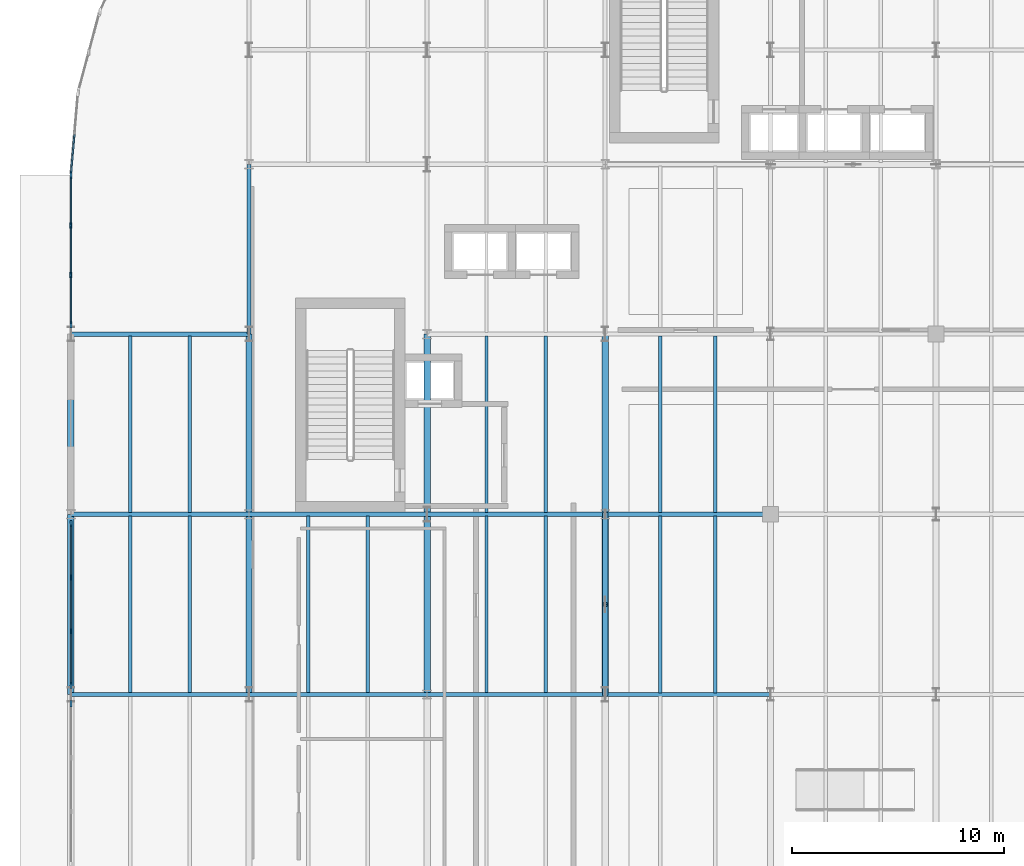
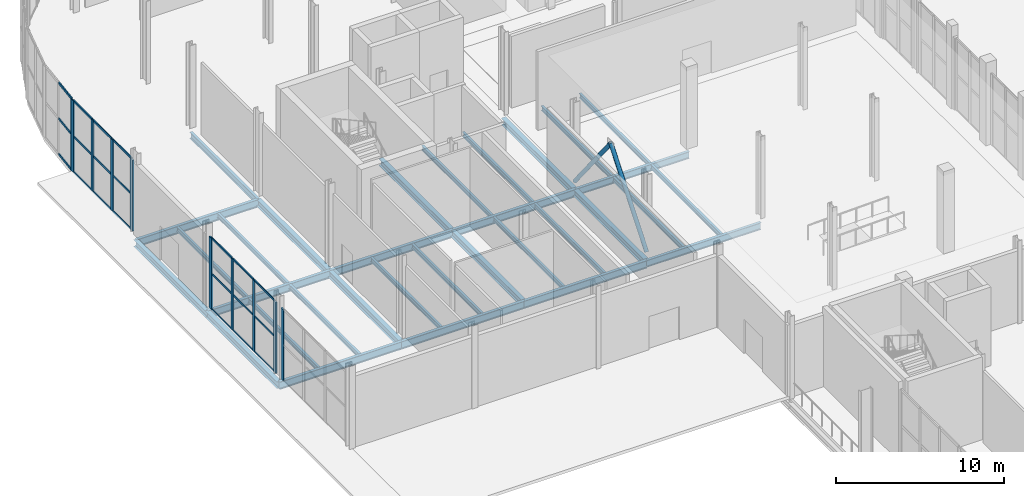
# One storey, part 29 of 84: 33 members, 32 beams, 4 elements without a shape of their own.
"""IFC4 building model written with IfcOpenShell, lengths in metres."""

from ifc_helpers import new_model, si_unit, direction, frame, origin, origin_2d, place, context, subcontext, project, spatial, rectangle, hollow_circle, i_section, extrude, material, layer, layer_set, material_profile, profile_set, type_object, element, aggregate, save


model = new_model("IFC4")

# Units and contexts
model_context = context("Model", 3, precision=1e-05, world=origin(), true_north=direction((0.0, 1.0)))
body_context = subcontext(model_context, "Body", "Model", "MODEL_VIEW")
ifc_project = project(units=[si_unit("LENGTHUNIT", "METRE"), si_unit("AREAUNIT", "SQUARE_METRE"), si_unit("VOLUMEUNIT", "CUBIC_METRE"), si_unit("PLANEANGLEUNIT", "RADIAN"), si_unit("MASSUNIT", "GRAM", prefix="KILO")], contexts=[model_context])

# Site, building, storey
site_placement = place(None, origin())
site = spatial("IfcSite", under=ifc_project, at=site_placement, CompositionType="ELEMENT")
building_placement = place(site_placement, origin())
building = spatial("IfcBuilding", under=site, at=building_placement, Name="Sefraquen Railside Congress Hotel", CompositionType="ELEMENT")
storey_placement = place(building_placement, origin())
storey = spatial("IfcBuildingStorey", under=building, at=storey_placement, Name="L00", CompositionType="ELEMENT", Elevation=0.0)

# Beams
ifc_material_1 = material(Name="Steel S355JR", Category="steel")
ifc_material_profile_1 = material_profile(ifc_material_1, i_section(OverallWidth=0.18994140625, OverallDepth=0.449951171875, WebThickness=0.009521484375, FlangeThickness=0.0146484375, FilletRadius=0.02099609375, at=origin_2d()), Name="IPE 450")
ifc_profile_set_1 = profile_set([ifc_material_profile_1], Name="Steel S355JR")
beam_type_1 = type_object("IfcBeamType", Name="TB-BM-450", PredefinedType="BEAM", material=ifc_profile_set_1)
beam_1_placement = place(storey_placement, frame((8.39990234375, 88.0, -0.625), z_axis=(0.0, 1.0, 0.0), x_axis=(-1.0, 0.0, 0.0)))
element("IfcBeam", 1, at=beam_1_placement, inside=storey, type_object=beam_type_1, Name="Floor beam BM-L00-0179", PredefinedType="BEAM", context=body_context, shape_type="SweptSolid", body=[
    extrude(i_section(OverallWidth=0.18994140625, OverallDepth=0.449951171875, WebThickness=0.009521484375, FlangeThickness=0.0146484375, FilletRadius=0.02099609375, at=origin_2d()), origin(), (0.0, 0.0, 1.0), 8.0),
])
ifc_material_profile_2 = material_profile(ifc_material_1, i_section(OverallWidth=0.199951171875, OverallDepth=0.5, WebThickness=0.01025390625, FlangeThickness=0.01611328125, FilletRadius=0.02099609375, at=origin_2d()), Name="IPE 500")
ifc_profile_set_2 = profile_set([ifc_material_profile_2], Name="Steel S355JR")
beam_type_2 = type_object("IfcBeamType", Name="TB-BM-500", PredefinedType="BEAM", material=ifc_profile_set_2)
for number, where, z_axis, x_axis, name in (
    (2, (25.199951171875, 71.0, -0.64990234375), (1.0, 0.0, 0.0), (0.0, 1.0, 0.0), "Primary girder BM-L00-0085"),
    (3, (25.199951171875, 79.5, -0.64990234375), (1.0, 0.0, 0.0), (0.0, 1.0, 0.0), "Primary girder BM-L00-0093"),
):
    element("IfcBeam", number, at=place(storey_placement, frame(where, z_axis=z_axis, x_axis=x_axis)), inside=storey, type_object=beam_type_2, Name=name, PredefinedType="BEAM", context=body_context, shape_type="SweptSolid", body=[
        extrude(i_section(OverallWidth=0.199951171875, OverallDepth=0.5, WebThickness=0.01025390625, FlangeThickness=0.01611328125, FilletRadius=0.02099609375, at=origin_2d()), origin(), (0.0, 0.0, 1.0), 7.800048828125),
    ])
ifc_material_profile_3 = material_profile(ifc_material_1, i_section(OverallWidth=0.300048828125, OverallDepth=0.489990234375, WebThickness=0.011962890625, FlangeThickness=0.02294921875, FilletRadius=0.027099609375, at=origin_2d()), Name="HEA 500")
ifc_profile_set_3 = profile_set([ifc_material_profile_3], Name="Steel S355JR")
beam_type_3 = type_object("IfcBeamType", Name="TB-GIR-500", PredefinedType="T_BEAM", material=ifc_profile_set_3)
for number, where, z_axis, x_axis, name in (
    (4, (0.0, 71.0, -0.64501953125), (0.0, 1.0, 0.0), (-1.0, 0.0, 0.0), "Floor beam BM-L00-0174"),
    (5, (0.0, 79.5, -0.64501953125), (0.0, 1.0, 0.0), (-1.0, 0.0, 0.0), "Floor beam BM-L00-0175"),
    (6, (8.39990234375, 71.0, -0.64501953125), (0.0, 1.0, 0.0), (-1.0, 0.0, 0.0), "Floor beam BM-L00-0177"),
    (7, (8.39990234375, 79.5, -0.64501953125), (0.0, 1.0, 0.0), (-1.0, 0.0, 0.0), "Floor beam BM-L00-0178"),
    (8, (16.800048828125, 71.0, -0.64501953125), (0.0, 1.0, 0.0), (-1.0, 0.0, 0.0), "Floor beam BM-L00-0183"),
    (9, (16.800048828125, 79.5, -0.64501953125), (0.0, 1.0, 0.0), (-1.0, 0.0, 0.0), "Floor beam BM-L00-0184"),
    (10, (25.199951171875, 71.0, -0.64501953125), (0.0, 1.0, 0.0), (-1.0, 0.0, 0.0), "Floor beam BM-L00-0195"),
    (11, (25.199951171875, 79.5, -0.64501953125), (0.0, 1.0, 0.0), (-1.0, 0.0, 0.0), "Floor beam BM-L00-0196"),
):
    element("IfcBeam", number, at=place(storey_placement, frame(where, z_axis=z_axis, x_axis=x_axis)), inside=storey, type_object=beam_type_3, Name=name, PredefinedType="T_BEAM", context=body_context, shape_type="SweptSolid", body=[
        extrude(i_section(OverallWidth=0.300048828125, OverallDepth=0.489990234375, WebThickness=0.011962890625, FlangeThickness=0.02294921875, FilletRadius=0.027099609375, at=origin_2d()), origin(), (0.0, 0.0, 1.0), 8.5),
    ])
ifc_material_profile_4 = material_profile(ifc_material_1, i_section(OverallWidth=0.2099609375, OverallDepth=0.550048828125, WebThickness=0.010986328125, FlangeThickness=0.01708984375, FilletRadius=0.02392578125, at=origin_2d()), Name="IPE 550")
ifc_profile_set_4 = profile_set([ifc_material_profile_4], Name="Steel S355JR")
beam_type_4 = type_object("IfcBeamType", Name="TB-GIR-550", PredefinedType="T_BEAM", material=ifc_profile_set_4)
beam_2_placement = place(storey_placement, frame((0.0, 71.0, -0.675048828125), z_axis=(1.0, 0.0, 0.0), x_axis=(0.0, 1.0, 0.0)))
element("IfcBeam", 12, at=beam_2_placement, inside=storey, type_object=beam_type_4, Name="Primary girder BM-L00-0082", PredefinedType="T_BEAM", context=body_context, shape_type="SweptSolid", body=[
    extrude(i_section(OverallWidth=0.2099609375, OverallDepth=0.550048828125, WebThickness=0.010986328125, FlangeThickness=0.01708984375, FilletRadius=0.02392578125, at=origin_2d()), origin(), (0.0, 0.0, 1.0), 8.39990234375),
])
beam_3_placement = place(storey_placement, frame((8.39990234375, 71.0, -0.675048828125), z_axis=(1.0, 0.0, 0.0), x_axis=(0.0, 1.0, 0.0)))
element("IfcBeam", 13, at=beam_3_placement, inside=storey, type_object=beam_type_4, Name="Primary girder BM-L00-0083", PredefinedType="T_BEAM", context=body_context, shape_type="SweptSolid", body=[
    extrude(i_section(OverallWidth=0.2099609375, OverallDepth=0.550048828125, WebThickness=0.010986328125, FlangeThickness=0.01708984375, FilletRadius=0.02392578125, at=origin_2d()), origin(), (0.0, 0.0, 1.0), 8.400146484375),
])
for number, where, z_axis, x_axis, name in (
    (14, (16.800048828125, 71.0, -0.675048828125), (1.0, 0.0, 0.0), (0.0, 1.0, 0.0), "Primary girder BM-L00-0084"),
    (15, (0.0, 79.5, -0.675048828125), (1.0, 0.0, 0.0), (0.0, 1.0, 0.0), "Primary girder BM-L00-0090"),
):
    element("IfcBeam", number, at=place(storey_placement, frame(where, z_axis=z_axis, x_axis=x_axis)), inside=storey, type_object=beam_type_4, Name=name, PredefinedType="T_BEAM", context=body_context, shape_type="SweptSolid", body=[
        extrude(i_section(OverallWidth=0.2099609375, OverallDepth=0.550048828125, WebThickness=0.010986328125, FlangeThickness=0.01708984375, FilletRadius=0.02392578125, at=origin_2d()), origin(), (0.0, 0.0, 1.0), 8.39990234375),
    ])
beam_4_placement = place(storey_placement, frame((8.39990234375, 79.5, -0.675048828125), z_axis=(1.0, 0.0, 0.0), x_axis=(0.0, 1.0, 0.0)))
element("IfcBeam", 16, at=beam_4_placement, inside=storey, type_object=beam_type_4, Name="Primary girder BM-L00-0091", PredefinedType="T_BEAM", context=body_context, shape_type="SweptSolid", body=[
    extrude(i_section(OverallWidth=0.2099609375, OverallDepth=0.550048828125, WebThickness=0.010986328125, FlangeThickness=0.01708984375, FilletRadius=0.02392578125, at=origin_2d()), origin(), (0.0, 0.0, 1.0), 8.400146484375),
])
for number, where, z_axis, x_axis, name in (
    (17, (16.800048828125, 79.5, -0.675048828125), (1.0, 0.0, 0.0), (0.0, 1.0, 0.0), "Primary girder BM-L00-0092"),
    (18, (0.0, 88.0, -0.675048828125), (1.0, 0.0, 0.0), (0.0, 1.0, 0.0), "Primary girder BM-L00-0099"),
):
    element("IfcBeam", number, at=place(storey_placement, frame(where, z_axis=z_axis, x_axis=x_axis)), inside=storey, type_object=beam_type_4, Name=name, PredefinedType="T_BEAM", context=body_context, shape_type="SweptSolid", body=[
        extrude(i_section(OverallWidth=0.2099609375, OverallDepth=0.550048828125, WebThickness=0.010986328125, FlangeThickness=0.01708984375, FilletRadius=0.02392578125, at=origin_2d()), origin(), (0.0, 0.0, 1.0), 8.39990234375),
    ])
ifc_material_profile_5 = material_profile(ifc_material_1, i_section(OverallWidth=0.159912109375, OverallDepth=0.330078125, WebThickness=0.007568359375, FlangeThickness=0.011474609375, FilletRadius=0.01806640625, at=origin_2d()), Name="IPE 330")
ifc_profile_set_5 = profile_set([ifc_material_profile_5], Name="Steel S355JR")
beam_type_5 = type_object("IfcBeamType", Name="TB-JST-330", PredefinedType="JOIST", material=ifc_profile_set_5)
for number, where, z_axis, x_axis, name in (
    (19, (2.800048828125, 71.0849609375, -0.56494140625), (0.0, 1.0, 0.0), (-1.0, 0.0, 0.0), "Composite floor joist BM-L00-J0003"),
    (20, (5.60009765625, 71.0849609375, -0.56494140625), (0.0, 1.0, 0.0), (-1.0, 0.0, 0.0), "Composite floor joist BM-L00-J0004"),
    (21, (2.800048828125, 79.5849609375, -0.56494140625), (0.0, 1.0, 0.0), (-1.0, 0.0, 0.0), "Composite floor joist BM-L00-J0005"),
    (22, (5.60009765625, 79.5849609375, -0.56494140625), (0.0, 1.0, 0.0), (-1.0, 0.0, 0.0), "Composite floor joist BM-L00-J0006"),
    (23, (11.199951171875, 71.0849609375, -0.56494140625), (0.0, 1.0, 0.0), (-1.0, 0.0, 0.0), "Composite floor joist BM-L00-J0009"),
    (24, (14.0, 71.0849609375, -0.56494140625), (0.0, 1.0, 0.0), (-1.0, 0.0, 0.0), "Composite floor joist BM-L00-J0010"),
    (25, (19.60009765625, 71.0849609375, -0.56494140625), (0.0, 1.0, 0.0), (-1.0, 0.0, 0.0), "Composite floor joist BM-L00-J0017"),
    (26, (22.39990234375, 71.0849609375, -0.56494140625), (0.0, 1.0, 0.0), (-1.0, 0.0, 0.0), "Composite floor joist BM-L00-J0018"),
    (27, (19.60009765625, 79.5849609375, -0.56494140625), (0.0, 1.0, 0.0), (-1.0, 0.0, 0.0), "Composite floor joist BM-L00-J0019"),
    (28, (22.39990234375, 79.5849609375, -0.56494140625), (0.0, 1.0, 0.0), (-1.0, 0.0, 0.0), "Composite floor joist BM-L00-J0020"),
):
    element("IfcBeam", number, at=place(storey_placement, frame(where, z_axis=z_axis, x_axis=x_axis)), inside=storey, type_object=beam_type_5, Name=name, PredefinedType="JOIST", context=body_context, shape_type="SweptSolid", body=[
        extrude(i_section(OverallWidth=0.159912109375, OverallDepth=0.330078125, WebThickness=0.007568359375, FlangeThickness=0.011474609375, FilletRadius=0.01806640625, at=origin_2d()), origin(), (0.0, 0.0, 1.0), 8.330078125),
    ])
for number, where, z_axis, x_axis, name in (
    (29, (27.800048828125, 71.080078125, -0.56494140625), (0.0, 1.0, 0.0), (-1.0, 0.0, 0.0), "Composite floor joist BM-L00-J0036"),
    (30, (30.39990234375, 71.080078125, -0.56494140625), (0.0, 1.0, 0.0), (-1.0, 0.0, 0.0), "Composite floor joist BM-L00-J0037"),
    (31, (27.800048828125, 79.580078125, -0.56494140625), (0.0, 1.0, 0.0), (-1.0, 0.0, 0.0), "Composite floor joist BM-L00-J0038"),
    (32, (30.39990234375, 79.580078125, -0.56494140625), (0.0, 1.0, 0.0), (-1.0, 0.0, 0.0), "Composite floor joist BM-L00-J0039"),
):
    element("IfcBeam", number, at=place(storey_placement, frame(where, z_axis=z_axis, x_axis=x_axis)), inside=storey, type_object=beam_type_5, Name=name, PredefinedType="JOIST", context=body_context, shape_type="SweptSolid", body=[
        extrude(i_section(OverallWidth=0.159912109375, OverallDepth=0.330078125, WebThickness=0.007568359375, FlangeThickness=0.011474609375, FilletRadius=0.01806640625, at=origin_2d()), origin(), (0.0, 0.0, 1.0), 8.33984375),
    ])

# Members
ifc_material_2 = material(Name="Steel S355J2", Category="steel")
ifc_material_profile_6 = material_profile(ifc_material_2, hollow_circle(Radius=0.136474609375, WallThickness=0.012451171875, at=origin_2d()), Name="CHS 273x12.5")
ifc_profile_set_6 = profile_set([ifc_material_profile_6], Name="Steel S355J2")
member_type_1 = type_object("IfcMemberType", Name="TM-BR-273", PredefinedType="BRACE", material=ifc_profile_set_6)
for number, where, z_axis, x_axis, name in (
    (33, (25.199951171875, 71.0, 0.14990234375), (0.0, 0.625588676806, 0.780153066681), (-1.0, 0.0, 0.0), "Chevron braced-frame diagonal BF2-L L00"),
    (34, (25.199951171875, 79.5, 0.14990234375), (0.0, -0.625588676806, 0.780153066681), (1.0, 0.0, 0.0), "Chevron braced-frame diagonal BF2-R L00"),
):
    element("IfcMember", number, at=place(storey_placement, frame(where, z_axis=z_axis, x_axis=x_axis)), inside=storey, type_object=member_type_1, Name=name, PredefinedType="BRACE", context=body_context, shape_type="SweptSolid", body=[
        extrude(hollow_circle(Radius=0.136474609375, WallThickness=0.012451171875, at=origin_2d()), origin(), (0.0, 0.0, 1.0), 6.793701171875),
    ])

# Curtain wall, members
ifc_material_3 = material(Name="Thermally broken anodised aluminium and low-E double glazing", Category="aluminium")
ifc_layer_1 = layer(ifc_material_3, 0.199951171875)
ifc_layer_set_1 = layer_set([ifc_layer_1], Name="Thermally broken anodised aluminium and low-E double glazing")
curtain_wall_type_1 = type_object("IfcCurtainWallType", Name="TCW-UCW-26", PredefinedType="USERDEFINED", material=ifc_layer_set_1)
curtain_wall_1_placement = place(storey_placement, origin())
curtain_wall_1 = element("IfcCurtainWall", 35, at=curtain_wall_1_placement, inside=storey, type_object=curtain_wall_type_1, Name="Hotel West Forecourt curtain wall UCW-26", ObjectType="UNITISED CURTAIN WALL", PredefinedType="USERDEFINED")
ifc_material_4 = material(Name="Thermally broken anodised aluminium 6063-T6", Category="aluminium")
ifc_material_profile_7 = material_profile(ifc_material_4, rectangle(XDim=0.080078125, YDim=0.239990234375, at=origin_2d()), Name="CWM 80x240")
ifc_profile_set_7 = profile_set([ifc_material_profile_7], Name="Thermally broken anodised aluminium 6063-T6")
member_type_2 = type_object("IfcMemberType", Name="TM-CWM-05", PredefinedType="MULLION", material=ifc_profile_set_7)
member_1_placement = place(storey_placement, frame((0.0, 73.97998046875, 0.0), z_axis=(0.0, 0.0, 1.0), x_axis=(1.0, 0.0, 0.0)))
member_1 = element("IfcMember", 36, at=member_1_placement, type_object=member_type_2, Name="CW-L00-026 mullion 2", PredefinedType="MULLION", context=body_context, shape_type="SweptSolid", body=[
    extrude(rectangle(XDim=0.080078125, YDim=0.239990234375, at=origin_2d()), origin(), (0.0, 0.0, 1.0), 5.14990234375),
])
member_2_placement = place(storey_placement, frame((0.0, 76.52001953125, 0.0), z_axis=(0.0, 0.0, 1.0), x_axis=(1.0, 0.0, 0.0)))
member_2 = element("IfcMember", 37, at=member_2_placement, type_object=member_type_2, Name="CW-L00-026 mullion 3", PredefinedType="MULLION", context=body_context, shape_type="SweptSolid", body=[
    extrude(rectangle(XDim=0.080078125, YDim=0.239990234375, at=origin_2d()), origin(), (0.0, 0.0, 1.0), 5.14990234375),
])

ifc_layer_2 = layer(ifc_material_3, 0.199951171875)
ifc_layer_set_2 = layer_set([ifc_layer_2], Name="Thermally broken anodised aluminium and low-E double glazing")
curtain_wall_type_2 = type_object("IfcCurtainWallType", Name="TCW-UCW-27", PredefinedType="USERDEFINED", material=ifc_layer_set_2)
curtain_wall_2_placement = place(storey_placement, origin())
curtain_wall_2 = element("IfcCurtainWall", 38, at=curtain_wall_2_placement, inside=storey, type_object=curtain_wall_type_2, Name="Hotel West Forecourt curtain wall UCW-27", ObjectType="UNITISED CURTAIN WALL", PredefinedType="USERDEFINED")
ifc_material_profile_8 = material_profile(ifc_material_4, rectangle(XDim=0.0849609375, YDim=0.260009765625, at=origin_2d()), Name="CWM 85x260")
ifc_profile_set_8 = profile_set([ifc_material_profile_8], Name="Thermally broken anodised aluminium 6063-T6")
member_type_3 = type_object("IfcMemberType", Name="TM-CWM-06", PredefinedType="MULLION", material=ifc_profile_set_8)
member_3_placement = place(storey_placement, frame((0.0, 90.780029296875, 0.0), z_axis=(0.0, 0.0, 1.0), x_axis=(1.0, 0.0, 0.0)))
member_3 = element("IfcMember", 39, at=member_3_placement, type_object=member_type_3, Name="CW-L00-027 mullion 2", PredefinedType="MULLION", context=body_context, shape_type="SweptSolid", body=[
    extrude(rectangle(XDim=0.0849609375, YDim=0.260009765625, at=origin_2d()), origin(), (0.0, 0.0, 1.0), 5.14990234375),
])
member_4_placement = place(storey_placement, frame((0.0, 93.1201171875, 0.0), z_axis=(0.0, 0.0, 1.0), x_axis=(1.0, 0.0, 0.0)))
member_4 = element("IfcMember", 40, at=member_4_placement, type_object=member_type_3, Name="CW-L00-027 mullion 3", PredefinedType="MULLION", context=body_context, shape_type="SweptSolid", body=[
    extrude(rectangle(XDim=0.0849609375, YDim=0.260009765625, at=origin_2d()), origin(), (0.0, 0.0, 1.0), 5.14990234375),
])

# Curtain wall, member
ifc_layer_3 = layer(ifc_material_3, 0.199951171875)
ifc_layer_set_3 = layer_set([ifc_layer_3], Name="Thermally broken anodised aluminium and low-E double glazing")
curtain_wall_type_3 = type_object("IfcCurtainWallType", Name="TCW-UCW-25", PredefinedType="USERDEFINED", material=ifc_layer_set_3)
curtain_wall_3_placement = place(storey_placement, origin())
curtain_wall_3 = element("IfcCurtainWall", 41, at=curtain_wall_3_placement, inside=storey, type_object=curtain_wall_type_3, Name="Hotel West Forecourt curtain wall UCW-25", ObjectType="UNITISED CURTAIN WALL", PredefinedType="USERDEFINED")
ifc_material_profile_9 = material_profile(ifc_material_4, rectangle(XDim=0.094970703125, YDim=0.300048828125, at=origin_2d()), Name="CWM 95x300")
ifc_profile_set_9 = profile_set([ifc_material_profile_9], Name="Thermally broken anodised aluminium 6063-T6")
member_type_4 = type_object("IfcMemberType", Name="TM-CWM-08", PredefinedType="MULLION", material=ifc_profile_set_9)
member_5_placement = place(storey_placement, frame((0.0, 70.56005859375, 0.0), z_axis=(0.0, 0.0, 1.0), x_axis=(1.0, 0.0, 0.0)))
member_5 = element("IfcMember", 42, at=member_5_placement, type_object=member_type_4, Name="CW-L00-025 mullion 4", PredefinedType="MULLION", context=body_context, shape_type="SweptSolid", body=[
    extrude(rectangle(XDim=0.094970703125, YDim=0.300048828125, at=origin_2d()), origin(), (0.0, 0.0, 1.0), 5.14990234375),
])
aggregate(curtain_wall_3, [member_5])

# Member
member_6_placement = place(storey_placement, frame((0.0, 71.43994140625, 0.0), z_axis=(0.0, 0.0, 1.0), x_axis=(1.0, 0.0, 0.0)))
member_6 = element("IfcMember", 43, at=member_6_placement, type_object=member_type_4, Name="CW-L00-026 mullion 1", PredefinedType="MULLION", context=body_context, shape_type="SweptSolid", body=[
    extrude(rectangle(XDim=0.094970703125, YDim=0.300048828125, at=origin_2d()), origin(), (0.0, 0.0, 1.0), 5.14990234375),
])

member_7_placement = place(storey_placement, frame((0.0, 79.06005859375, 0.0), z_axis=(0.0, 0.0, 1.0), x_axis=(1.0, 0.0, 0.0)))
member_7 = element("IfcMember", 44, at=member_7_placement, type_object=member_type_4, Name="CW-L00-026 mullion 4", PredefinedType="MULLION", context=body_context, shape_type="SweptSolid", body=[
    extrude(rectangle(XDim=0.094970703125, YDim=0.300048828125, at=origin_2d()), origin(), (0.0, 0.0, 1.0), 5.14990234375),
])

member_8_placement = place(storey_placement, frame((0.0, 88.43994140625, 0.0), z_axis=(0.0, 0.0, 1.0), x_axis=(1.0, 0.0, 0.0)))
member_8 = element("IfcMember", 45, at=member_8_placement, type_object=member_type_4, Name="CW-L00-027 mullion 1", PredefinedType="MULLION", context=body_context, shape_type="SweptSolid", body=[
    extrude(rectangle(XDim=0.094970703125, YDim=0.300048828125, at=origin_2d()), origin(), (0.0, 0.0, 1.0), 5.14990234375),
])

member_9_placement = place(storey_placement, frame((0.0, 95.4599609375, 0.0), z_axis=(0.0, 0.0, 1.0), x_axis=(1.0, 0.0, 0.0)))
member_9 = element("IfcMember", 46, at=member_9_placement, type_object=member_type_4, Name="CW-L00-027 mullion 4", PredefinedType="MULLION", context=body_context, shape_type="SweptSolid", body=[
    extrude(rectangle(XDim=0.094970703125, YDim=0.300048828125, at=origin_2d()), origin(), (0.0, 0.0, 1.0), 5.14990234375),
])

# Curtain wall, member
ifc_layer_4 = layer(ifc_material_3, 0.199951171875)
ifc_layer_set_4 = layer_set([ifc_layer_4], Name="Thermally broken anodised aluminium and low-E double glazing")
curtain_wall_type_4 = type_object("IfcCurtainWallType", Name="TCW-UCW-04", PredefinedType="USERDEFINED", material=ifc_layer_set_4)
curtain_wall_4_placement = place(storey_placement, origin())
curtain_wall_4 = element("IfcCurtainWall", 47, at=curtain_wall_4_placement, inside=storey, type_object=curtain_wall_type_4, Name="Rotunda L00 curved curtain wall facet 9", ObjectType="UNITISED CURTAIN WALL", PredefinedType="USERDEFINED")
member_10_placement = place(storey_placement, frame((0.00341796875, 95.539794921875, 0.0), z_axis=(0.0, 0.0, 1.0), x_axis=(1.0, 0.0, 0.0)))
member_10 = element("IfcMember", 48, at=member_10_placement, type_object=member_type_4, Name="CW-L00-ROT-09 mullion 3", PredefinedType="MULLION", context=body_context, shape_type="SweptSolid", body=[
    extrude(rectangle(XDim=0.094970703125, YDim=0.300048828125, at=origin_2d()), origin(), (0.0, 0.0, 1.0), 5.14990234375),
])

# Member
ifc_material_profile_10 = material_profile(ifc_material_4, rectangle(XDim=0.06494140625, YDim=0.135009765625, at=origin_2d()), Name="CWT 65x135")
ifc_profile_set_10 = profile_set([ifc_material_profile_10], Name="Thermally broken anodised aluminium 6063-T6")
member_type_5 = type_object("IfcMemberType", Name="TM-CWT-02", PredefinedType="USERDEFINED", material=ifc_profile_set_10)
member_11_placement = place(storey_placement, frame((0.0, 71.485107421875, 0.0), z_axis=(0.0, 1.0, 0.0), x_axis=(-1.0, 0.0, 0.0)))
member_11 = element("IfcMember", 49, at=member_11_placement, type_object=member_type_5, Name="CW-L00-026 transom 1.1", ObjectType="TRANSOM", PredefinedType="USERDEFINED", context=body_context, shape_type="SweptSolid", body=[
    extrude(rectangle(XDim=0.06494140625, YDim=0.135009765625, at=origin_2d()), origin(), (0.0, 0.0, 1.0), 2.449951171875),
])

member_12_placement = place(storey_placement, frame((0.0, 74.02490234375, 0.0), z_axis=(0.0, 1.0, 0.0), x_axis=(-1.0, 0.0, 0.0)))
member_12 = element("IfcMember", 50, at=member_12_placement, type_object=member_type_5, Name="CW-L00-026 transom 1.2", ObjectType="TRANSOM", PredefinedType="USERDEFINED", context=body_context, shape_type="SweptSolid", body=[
    extrude(rectangle(XDim=0.06494140625, YDim=0.135009765625, at=origin_2d()), origin(), (0.0, 0.0, 1.0), 2.4501953125),
])

member_13_placement = place(storey_placement, frame((0.0, 76.56494140625, 0.0), z_axis=(0.0, 1.0, 0.0), x_axis=(-1.0, 0.0, 0.0)))
member_13 = element("IfcMember", 51, at=member_13_placement, type_object=member_type_5, Name="CW-L00-026 transom 1.3", ObjectType="TRANSOM", PredefinedType="USERDEFINED", context=body_context, shape_type="SweptSolid", body=[
    extrude(rectangle(XDim=0.06494140625, YDim=0.135009765625, at=origin_2d()), origin(), (0.0, 0.0, 1.0), 2.449951171875),
])

member_14_placement = place(storey_placement, frame((0.0, 71.485107421875, 2.574951171875), z_axis=(0.0, 1.0, 0.0), x_axis=(-1.0, 0.0, 0.0)))
member_14 = element("IfcMember", 52, at=member_14_placement, type_object=member_type_5, Name="CW-L00-026 transom 2.1", ObjectType="TRANSOM", PredefinedType="USERDEFINED", context=body_context, shape_type="SweptSolid", body=[
    extrude(rectangle(XDim=0.06494140625, YDim=0.135009765625, at=origin_2d()), origin(), (0.0, 0.0, 1.0), 2.449951171875),
])

member_15_placement = place(storey_placement, frame((0.0, 74.02490234375, 2.574951171875), z_axis=(0.0, 1.0, 0.0), x_axis=(-1.0, 0.0, 0.0)))
member_15 = element("IfcMember", 53, at=member_15_placement, type_object=member_type_5, Name="CW-L00-026 transom 2.2", ObjectType="TRANSOM", PredefinedType="USERDEFINED", context=body_context, shape_type="SweptSolid", body=[
    extrude(rectangle(XDim=0.06494140625, YDim=0.135009765625, at=origin_2d()), origin(), (0.0, 0.0, 1.0), 2.4501953125),
])

member_16_placement = place(storey_placement, frame((0.0, 76.56494140625, 2.574951171875), z_axis=(0.0, 1.0, 0.0), x_axis=(-1.0, 0.0, 0.0)))
member_16 = element("IfcMember", 54, at=member_16_placement, type_object=member_type_5, Name="CW-L00-026 transom 2.3", ObjectType="TRANSOM", PredefinedType="USERDEFINED", context=body_context, shape_type="SweptSolid", body=[
    extrude(rectangle(XDim=0.06494140625, YDim=0.135009765625, at=origin_2d()), origin(), (0.0, 0.0, 1.0), 2.449951171875),
])

member_17_placement = place(storey_placement, frame((0.0, 71.485107421875, 5.14990234375), z_axis=(0.0, 1.0, 0.0), x_axis=(-1.0, 0.0, 0.0)))
member_17 = element("IfcMember", 55, at=member_17_placement, type_object=member_type_5, Name="CW-L00-026 transom 3.1", ObjectType="TRANSOM", PredefinedType="USERDEFINED", context=body_context, shape_type="SweptSolid", body=[
    extrude(rectangle(XDim=0.06494140625, YDim=0.135009765625, at=origin_2d()), origin(), (0.0, 0.0, 1.0), 2.449951171875),
])

member_18_placement = place(storey_placement, frame((0.0, 74.02490234375, 5.14990234375), z_axis=(0.0, 1.0, 0.0), x_axis=(-1.0, 0.0, 0.0)))
member_18 = element("IfcMember", 56, at=member_18_placement, type_object=member_type_5, Name="CW-L00-026 transom 3.2", ObjectType="TRANSOM", PredefinedType="USERDEFINED", context=body_context, shape_type="SweptSolid", body=[
    extrude(rectangle(XDim=0.06494140625, YDim=0.135009765625, at=origin_2d()), origin(), (0.0, 0.0, 1.0), 2.4501953125),
])

member_19_placement = place(storey_placement, frame((0.0, 76.56494140625, 5.14990234375), z_axis=(0.0, 1.0, 0.0), x_axis=(-1.0, 0.0, 0.0)))
member_19 = element("IfcMember", 57, at=member_19_placement, type_object=member_type_5, Name="CW-L00-026 transom 3.3", ObjectType="TRANSOM", PredefinedType="USERDEFINED", context=body_context, shape_type="SweptSolid", body=[
    extrude(rectangle(XDim=0.06494140625, YDim=0.135009765625, at=origin_2d()), origin(), (0.0, 0.0, 1.0), 2.449951171875),
])

aggregate(curtain_wall_1, [member_6, member_1, member_2, member_7, member_11, member_12, member_13, member_14, member_15, member_16, member_17, member_18, member_19])

ifc_material_profile_11 = material_profile(ifc_material_4, rectangle(XDim=0.070068359375, YDim=0.14990234375, at=origin_2d()), Name="CWT 70x150")
ifc_profile_set_11 = profile_set([ifc_material_profile_11], Name="Thermally broken anodised aluminium 6063-T6")
member_type_6 = type_object("IfcMemberType", Name="TM-CWT-03", PredefinedType="USERDEFINED", material=ifc_profile_set_11)
member_20_placement = place(storey_placement, frame((0.0, 88.485107421875, 0.0), z_axis=(0.0, 1.0, 0.0), x_axis=(-1.0, 0.0, 0.0)))
member_20 = element("IfcMember", 58, at=member_20_placement, type_object=member_type_6, Name="CW-L00-027 transom 1.1", ObjectType="TRANSOM", PredefinedType="USERDEFINED", context=body_context, shape_type="SweptSolid", body=[
    extrude(rectangle(XDim=0.070068359375, YDim=0.14990234375, at=origin_2d()), origin(), (0.0, 0.0, 1.0), 2.25),
])

member_21_placement = place(storey_placement, frame((0.0, 90.824951171875, 0.0), z_axis=(0.0, 1.0, 0.0), x_axis=(-1.0, 0.0, 0.0)))
member_21 = element("IfcMember", 59, at=member_21_placement, type_object=member_type_6, Name="CW-L00-027 transom 1.2", ObjectType="TRANSOM", PredefinedType="USERDEFINED", context=body_context, shape_type="SweptSolid", body=[
    extrude(rectangle(XDim=0.070068359375, YDim=0.14990234375, at=origin_2d()), origin(), (0.0, 0.0, 1.0), 2.25),
])

member_22_placement = place(storey_placement, frame((0.0, 93.1650390625, 0.0), z_axis=(0.0, 1.0, 0.0), x_axis=(-1.0, 0.0, 0.0)))
member_22 = element("IfcMember", 60, at=member_22_placement, type_object=member_type_6, Name="CW-L00-027 transom 1.3", ObjectType="TRANSOM", PredefinedType="USERDEFINED", context=body_context, shape_type="SweptSolid", body=[
    extrude(rectangle(XDim=0.070068359375, YDim=0.14990234375, at=origin_2d()), origin(), (0.0, 0.0, 1.0), 2.25),
])

member_23_placement = place(storey_placement, frame((0.0, 88.485107421875, 2.574951171875), z_axis=(0.0, 1.0, 0.0), x_axis=(-1.0, 0.0, 0.0)))
member_23 = element("IfcMember", 61, at=member_23_placement, type_object=member_type_6, Name="CW-L00-027 transom 2.1", ObjectType="TRANSOM", PredefinedType="USERDEFINED", context=body_context, shape_type="SweptSolid", body=[
    extrude(rectangle(XDim=0.070068359375, YDim=0.14990234375, at=origin_2d()), origin(), (0.0, 0.0, 1.0), 2.25),
])

member_24_placement = place(storey_placement, frame((0.0, 90.824951171875, 2.574951171875), z_axis=(0.0, 1.0, 0.0), x_axis=(-1.0, 0.0, 0.0)))
member_24 = element("IfcMember", 62, at=member_24_placement, type_object=member_type_6, Name="CW-L00-027 transom 2.2", ObjectType="TRANSOM", PredefinedType="USERDEFINED", context=body_context, shape_type="SweptSolid", body=[
    extrude(rectangle(XDim=0.070068359375, YDim=0.14990234375, at=origin_2d()), origin(), (0.0, 0.0, 1.0), 2.25),
])

member_25_placement = place(storey_placement, frame((0.0, 93.1650390625, 2.574951171875), z_axis=(0.0, 1.0, 0.0), x_axis=(-1.0, 0.0, 0.0)))
member_25 = element("IfcMember", 63, at=member_25_placement, type_object=member_type_6, Name="CW-L00-027 transom 2.3", ObjectType="TRANSOM", PredefinedType="USERDEFINED", context=body_context, shape_type="SweptSolid", body=[
    extrude(rectangle(XDim=0.070068359375, YDim=0.14990234375, at=origin_2d()), origin(), (0.0, 0.0, 1.0), 2.25),
])

member_26_placement = place(storey_placement, frame((0.0, 88.485107421875, 5.14990234375), z_axis=(0.0, 1.0, 0.0), x_axis=(-1.0, 0.0, 0.0)))
member_26 = element("IfcMember", 64, at=member_26_placement, type_object=member_type_6, Name="CW-L00-027 transom 3.1", ObjectType="TRANSOM", PredefinedType="USERDEFINED", context=body_context, shape_type="SweptSolid", body=[
    extrude(rectangle(XDim=0.070068359375, YDim=0.14990234375, at=origin_2d()), origin(), (0.0, 0.0, 1.0), 2.25),
])

member_27_placement = place(storey_placement, frame((0.0, 90.824951171875, 5.14990234375), z_axis=(0.0, 1.0, 0.0), x_axis=(-1.0, 0.0, 0.0)))
member_27 = element("IfcMember", 65, at=member_27_placement, type_object=member_type_6, Name="CW-L00-027 transom 3.2", ObjectType="TRANSOM", PredefinedType="USERDEFINED", context=body_context, shape_type="SweptSolid", body=[
    extrude(rectangle(XDim=0.070068359375, YDim=0.14990234375, at=origin_2d()), origin(), (0.0, 0.0, 1.0), 2.25),
])

member_28_placement = place(storey_placement, frame((0.0, 93.1650390625, 5.14990234375), z_axis=(0.0, 1.0, 0.0), x_axis=(-1.0, 0.0, 0.0)))
member_28 = element("IfcMember", 66, at=member_28_placement, type_object=member_type_6, Name="CW-L00-027 transom 3.3", ObjectType="TRANSOM", PredefinedType="USERDEFINED", context=body_context, shape_type="SweptSolid", body=[
    extrude(rectangle(XDim=0.070068359375, YDim=0.14990234375, at=origin_2d()), origin(), (0.0, 0.0, 1.0), 2.25),
])

aggregate(curtain_wall_2, [member_8, member_3, member_4, member_9, member_20, member_21, member_22, member_23, member_24, member_25, member_26, member_27, member_28])

ifc_material_profile_12 = material_profile(ifc_material_4, rectangle(XDim=0.074951171875, YDim=0.1650390625, at=origin_2d()), Name="CWT 75x165")
ifc_profile_set_12 = profile_set([ifc_material_profile_12], Name="Thermally broken anodised aluminium 6063-T6")
member_type_7 = type_object("IfcMemberType", Name="TM-CWT-04", PredefinedType="USERDEFINED", material=ifc_profile_set_12)
member_29_placement = place(storey_placement, frame((0.1669921875, 97.40869140625, 0.0), z_axis=(-0.08720499447, -0.996190387898, 0.0), x_axis=(0.996190387898, -0.08720499447, 0.0)))
member_29 = element("IfcMember", 67, at=member_29_placement, type_object=member_type_7, Name="CW-L00-ROT-09 transom 1.2", ObjectType="TRANSOM", PredefinedType="USERDEFINED", context=body_context, shape_type="SweptSolid", body=[
    extrude(rectangle(XDim=0.074951171875, YDim=0.1650390625, at=origin_2d()), origin(), (0.0, 0.0, 1.0), 1.8310546875),
])

member_30_placement = place(storey_placement, frame((0.1669921875, 97.40869140625, 2.574951171875), z_axis=(-0.08720499447, -0.996190387898, 0.0), x_axis=(0.996190387898, -0.08720499447, 0.0)))
member_30 = element("IfcMember", 68, at=member_30_placement, type_object=member_type_7, Name="CW-L00-ROT-09 transom 2.2", ObjectType="TRANSOM", PredefinedType="USERDEFINED", context=body_context, shape_type="SweptSolid", body=[
    extrude(rectangle(XDim=0.074951171875, YDim=0.1650390625, at=origin_2d()), origin(), (0.0, 0.0, 1.0), 1.8310546875),
])

member_31_placement = place(storey_placement, frame((0.1669921875, 97.40869140625, 5.14990234375), z_axis=(-0.08720499447, -0.996190387898, 0.0), x_axis=(0.996190387898, -0.08720499447, 0.0)))
member_31 = element("IfcMember", 69, at=member_31_placement, type_object=member_type_7, Name="CW-L00-ROT-09 transom 3.2", ObjectType="TRANSOM", PredefinedType="USERDEFINED", context=body_context, shape_type="SweptSolid", body=[
    extrude(rectangle(XDim=0.074951171875, YDim=0.1650390625, at=origin_2d()), origin(), (0.0, 0.0, 1.0), 1.8310546875),
])

aggregate(curtain_wall_4, [member_10, member_29, member_30, member_31])

save(model, "model.ifc")
